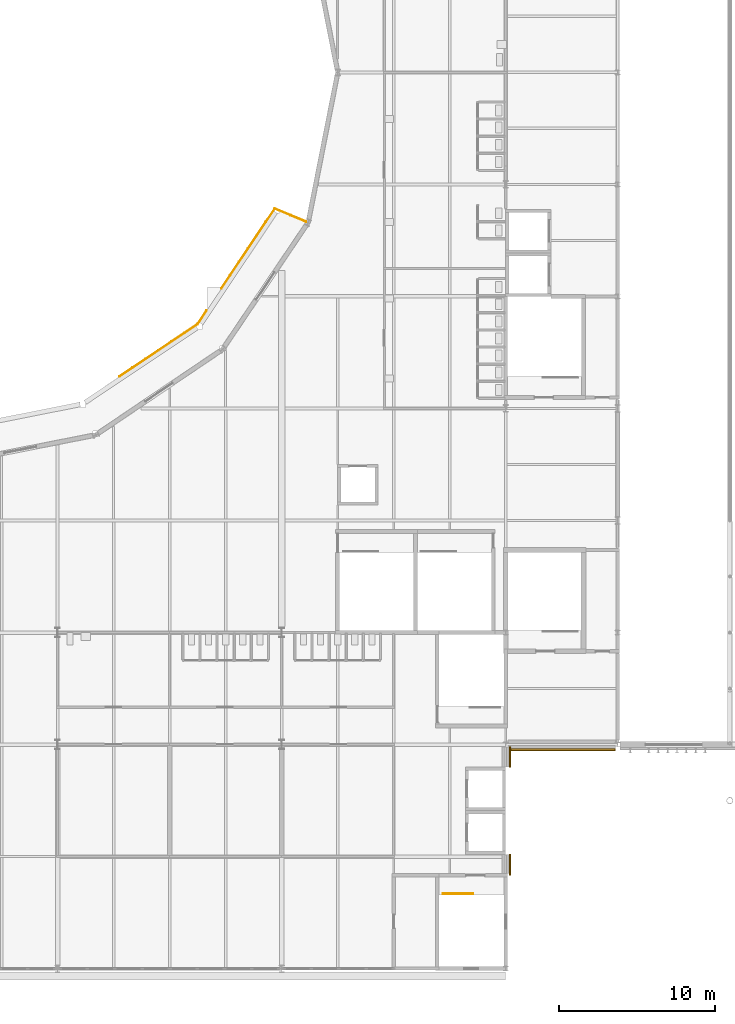
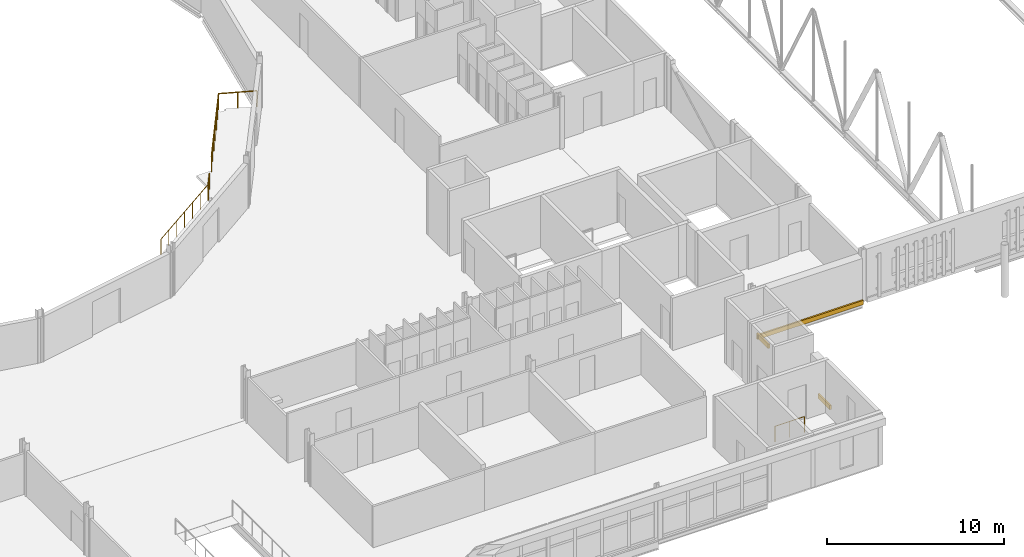
# One storey, part 118 of 142: 5 railings, 3 coverings.
"""IFC4 building model written with IfcOpenShell, lengths in metres."""

from ifc_helpers import new_model, si_unit, direction, frame, origin, origin_2d, place, context, subcontext, project, spatial, rectangle, circle, extrude, material, layer, layer_set, type_object, element, save


model = new_model("IFC4")

# Units and contexts
model_context = context("Model", 3, precision=1e-05, world=origin(), true_north=direction((0.0, 1.0)))
body_context = subcontext(model_context, "Body", "Model", "MODEL_VIEW")
ifc_project = project(units=[si_unit("LENGTHUNIT", "METRE"), si_unit("AREAUNIT", "SQUARE_METRE"), si_unit("VOLUMEUNIT", "CUBIC_METRE"), si_unit("PLANEANGLEUNIT", "RADIAN"), si_unit("MASSUNIT", "GRAM", prefix="KILO")], contexts=[model_context])

# Site, building, storey
site_placement = place(None, origin())
site = spatial("IfcSite", under=ifc_project, at=site_placement, CompositionType="ELEMENT")
building_placement = place(site_placement, origin())
building = spatial("IfcBuilding", under=site, at=building_placement, Name="Kupolbacken Congress Centre", CompositionType="ELEMENT")
storey_placement = place(building_placement, frame((0.0, 0.0, 14.39990234375)))
storey = spatial("IfcBuildingStorey", under=building, at=storey_placement, Name="L04", CompositionType="ELEMENT", Elevation=14.39990234375)

# Coverings
ifc_material_1 = material(Name="Brick cladding", Category="masonry")
ifc_layer = layer(ifc_material_1, 0.10791015625)
ifc_layer_set = layer_set([ifc_layer], Name="Brick cladding")
covering_type = type_object("IfcCoveringType", Name="CV2 brick cladding band 108", PredefinedType="CLADDING", material=ifc_layer_set)
covering_1_placement = place(storey_placement, frame((79.48388671875, 35.47509765625, 0.0), z_axis=(0.0, 0.0, 1.0), x_axis=(0.0, 1.0, 0.0)))
element("IfcCovering", 1, at=covering_1_placement, inside=storey, type_object=covering_type, Name="E/F/E/L04/409/band", PredefinedType="CLADDING", context=body_context, shape_type="SweptSolid", body=[
    extrude(rectangle(XDim=1.35009765625, YDim=0.10791015625, at=origin_2d()), origin(), (0.0, 0.0, 1.0), 0.300048828125),
])
covering_2_placement = place(storey_placement, frame((79.48388671875, 42.39990234375, 0.0), z_axis=(0.0, 0.0, 1.0), x_axis=(0.0, 1.0, 0.0)))
element("IfcCovering", 2, at=covering_2_placement, inside=storey, type_object=covering_type, Name="E/F/E/L04/410/band", PredefinedType="CLADDING", context=body_context, shape_type="SweptSolid", body=[
    extrude(rectangle(XDim=1.300048828125, YDim=0.10791015625, at=origin_2d()), origin(), (0.0, 0.0, 1.0), 0.300048828125),
])
covering_3_placement = place(storey_placement, frame((82.800048828125, 42.865966796875, 0.0), z_axis=(0.0, 0.0, 1.0), x_axis=(1.0, 0.0, 0.0)))
element("IfcCovering", 3, at=covering_3_placement, inside=storey, type_object=covering_type, Name="E/LINK/S/L04/441/band", PredefinedType="CLADDING", context=body_context, shape_type="SweptSolid", body=[
    extrude(rectangle(XDim=6.89990234375, YDim=0.10791015625, at=origin_2d()), origin(), (0.0, 0.0, 1.0), 0.300048828125),
])

# Railings
ifc_material_2 = material(Name="Steel S235", Category="steel")
railing_type = type_object("IfcRailingType", Name="RL1 guard 1100 steel balustrade", PredefinedType="GUARDRAIL", material=ifc_material_2)
railing_1_placement = place(storey_placement, frame((75.175048828125, 33.614990234375, 0.0)))
element("IfcRailing", 4, at=railing_1_placement, inside=storey, type_object=railing_type, Name="C/guard/FS1E/L04", PredefinedType="GUARDRAIL", context=body_context, shape_type="SweptSolid", body=[
    extrude(circle(Radius=0.02392578125, at=origin_2d()), frame((0.0, 0.0, 1.076171875), z_axis=(1.0, 0.0, 0.0), x_axis=(0.0, 1.0, 0.0)), (0.0, 0.0, 1.0), 1.925048828125),
    extrude(circle(Radius=0.02099609375, at=origin_2d()), origin(), (0.0, 0.0, 1.0), 1.052001953125),
    extrude(circle(Radius=0.02099609375, at=origin_2d()), frame((0.96240234375, 0.0, 0.0)), (0.0, 0.0, 1.0), 1.052001953125),
    extrude(circle(Radius=0.02099609375, at=origin_2d()), frame((1.925048828125, 0.0, 0.0)), (0.0, 0.0, 1.0), 1.052001953125),
])
railing_2_placement = place(storey_placement, frame((54.382080078125, 66.8642578125, 0.0)))
element("IfcRailing", 5, at=railing_2_placement, inside=storey, type_object=railing_type, Name="PD/L04/ringguard/2925", PredefinedType="GUARDRAIL", context=body_context, shape_type="SweptSolid", body=[
    extrude(circle(Radius=0.02392578125, at=origin_2d()), frame((0.0, 0.0, 1.076171875), z_axis=(0.831469837808, 0.555569895527, 0.0), x_axis=(-0.555569895527, 0.831469837808, 0.0)), (0.0, 0.0, 1.0), 6.0224609375),
    extrude(circle(Radius=0.02099609375, at=origin_2d()), origin(), (0.0, 0.0, 1.0), 1.052001953125),
    extrude(circle(Radius=0.02099609375, at=origin_2d()), frame((0.83447265625, 0.5576171875, 0.0)), (0.0, 0.0, 1.0), 1.052001953125),
    extrude(circle(Radius=0.02099609375, at=origin_2d()), frame((1.669189453125, 1.115234375, 0.0)), (0.0, 0.0, 1.0), 1.052001953125),
    extrude(circle(Radius=0.02099609375, at=origin_2d()), frame((2.50390625, 1.6728515625, 0.0)), (0.0, 0.0, 1.0), 1.052001953125),
    extrude(circle(Radius=0.02099609375, at=origin_2d()), frame((3.33837890625, 2.230712890625, 0.0)), (0.0, 0.0, 1.0), 1.052001953125),
    extrude(circle(Radius=0.02099609375, at=origin_2d()), frame((4.1728515625, 2.788330078125, 0.0)), (0.0, 0.0, 1.0), 1.052001953125),
    extrude(circle(Radius=0.02099609375, at=origin_2d()), frame((5.007568359375, 3.345947265625, 0.0)), (0.0, 0.0, 1.0), 1.052001953125),
])
railing_3_placement = place(storey_placement, frame((59.3896484375, 70.210205078125, 0.0)))
element("IfcRailing", 6, at=railing_3_placement, inside=storey, type_object=railing_type, Name="PD/L04/ringguard/3150/1", PredefinedType="GUARDRAIL", context=body_context, shape_type="SweptSolid", body=[
    extrude(circle(Radius=0.02392578125, at=origin_2d()), frame((0.0, 0.0, 1.076171875), z_axis=(0.555608450203, 0.831444075127, 0.0), x_axis=(-0.831444075127, 0.555608450203, 0.0)), (0.0, 0.0, 1.0), 1.05419921875),
    extrude(circle(Radius=0.02099609375, at=origin_2d()), origin(), (0.0, 0.0, 1.0), 1.052001953125),
    extrude(circle(Radius=0.02099609375, at=origin_2d()), frame((0.585693359375, 0.87646484375, 0.0)), (0.0, 0.0, 1.0), 1.052001953125),
])
railing_4_placement = place(storey_placement, frame((60.92333984375, 72.50537109375, 0.0)))
element("IfcRailing", 7, at=railing_4_placement, inside=storey, type_object=railing_type, Name="PD/L04/ringguard/3150/2", PredefinedType="GUARDRAIL", context=body_context, shape_type="SweptSolid", body=[
    extrude(circle(Radius=0.02392578125, at=origin_2d()), frame((0.0, 0.0, 1.076171875), z_axis=(0.555548695937, 0.831484002518, 0.0), x_axis=(-0.831484002518, 0.555548695937, 0.0)), (0.0, 0.0, 1.0), 6.173095703125),
    extrude(circle(Radius=0.02099609375, at=origin_2d()), origin(), (0.0, 0.0, 1.0), 1.052001953125),
    extrude(circle(Radius=0.02099609375, at=origin_2d()), frame((0.571533203125, 0.85546875, 0.0)), (0.0, 0.0, 1.0), 1.052001953125),
    extrude(circle(Radius=0.02099609375, at=origin_2d()), frame((1.14306640625, 1.7109375, 0.0)), (0.0, 0.0, 1.0), 1.052001953125),
    extrude(circle(Radius=0.02099609375, at=origin_2d()), frame((1.71484375, 2.56640625, 0.0)), (0.0, 0.0, 1.0), 1.052001953125),
    extrude(circle(Radius=0.02099609375, at=origin_2d()), frame((2.286376953125, 3.421875, 0.0)), (0.0, 0.0, 1.0), 1.052001953125),
    extrude(circle(Radius=0.02099609375, at=origin_2d()), frame((2.85791015625, 4.27734375, 0.0)), (0.0, 0.0, 1.0), 1.052001953125),
    extrude(circle(Radius=0.02099609375, at=origin_2d()), frame((3.429443359375, 5.1328125, 0.0)), (0.0, 0.0, 1.0), 1.052001953125),
])
railing_5_placement = place(storey_placement, frame((64.352783203125, 77.63818359375, 0.0)))
element("IfcRailing", 8, at=railing_5_placement, inside=storey, type_object=railing_type, Name="PD/L04/ringend/e", PredefinedType="GUARDRAIL", context=body_context, shape_type="SweptSolid", body=[
    extrude(circle(Radius=0.02392578125, at=origin_2d()), frame((0.0, 0.0, 1.076171875), z_axis=(0.923885916677, -0.382668019261, 0.0), x_axis=(0.382668019261, 0.923885916677, 0.0)), (0.0, 0.0, 1.0), 2.181884765625),
    extrude(circle(Radius=0.02099609375, at=origin_2d()), origin(), (0.0, 0.0, 1.0), 1.052001953125),
    extrude(circle(Radius=0.02099609375, at=origin_2d()), frame((1.0078125, -0.41748046875, 0.0)), (0.0, 0.0, 1.0), 1.052001953125),
    extrude(circle(Radius=0.02099609375, at=origin_2d()), frame((2.015869140625, -0.8349609375, 0.0)), (0.0, 0.0, 1.0), 1.052001953125),
])

save(model, "model.ifc")
